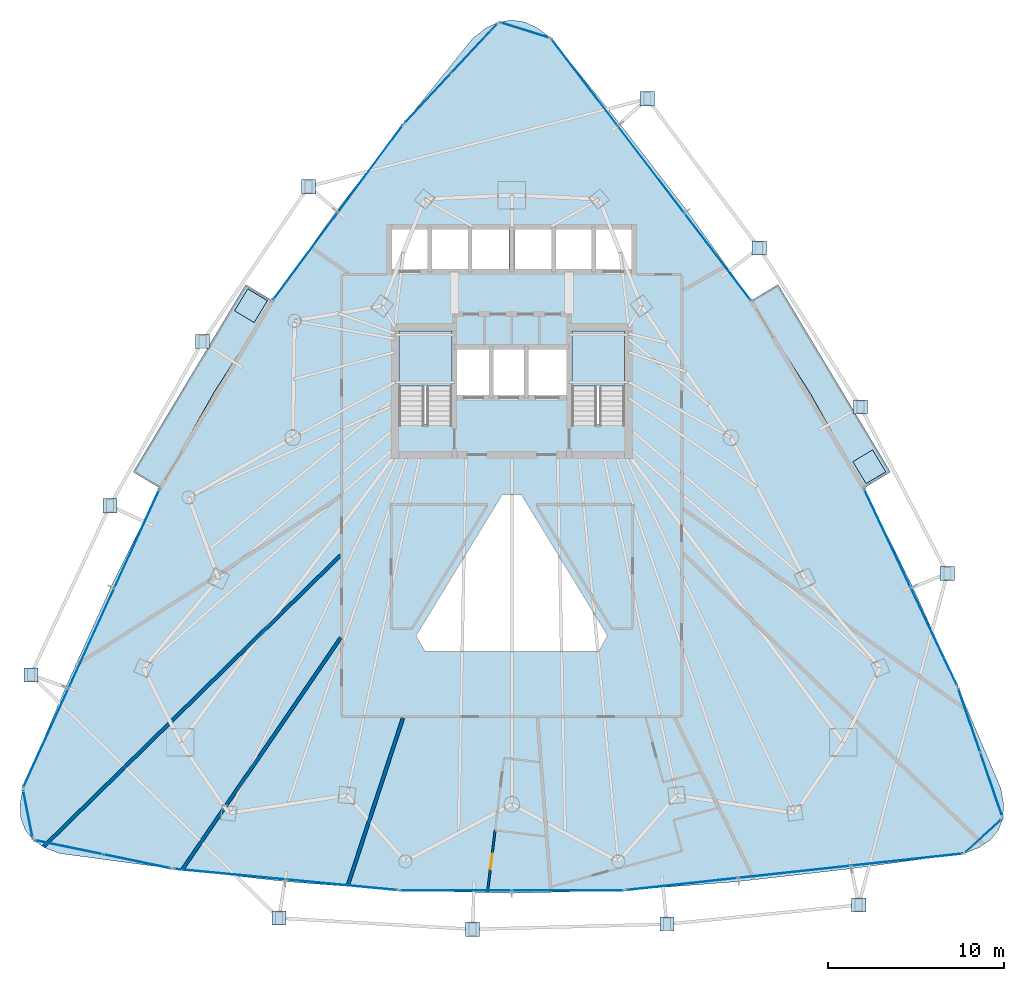
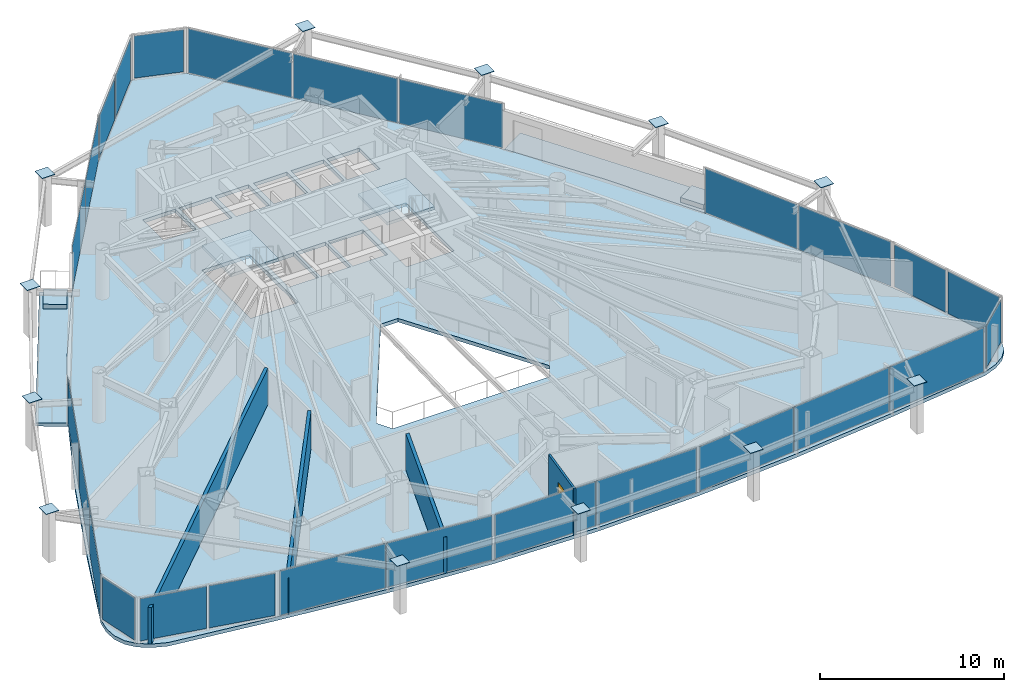
# One storey, part 27 of 33: 38 plates, 7 slabs, 4 walls, 1 door, 1 opening, 15 elements without a shape of their own.
"""IFC4 building model written with IfcOpenShell, lengths in metres."""

from ifc_helpers import new_model, si_unit, direction, frame, frame_2d, origin, origin_2d, place, context, subcontext, project, spatial, polyline, rectangle, outline, extrude, material, layer, layer_set, type_object, element, fill, aggregate, save


model = new_model("IFC4")

# Units and contexts
model_context = context("Model", 3, precision=1e-05, world=origin(), true_north=direction((0.0, 1.0)))
body_context = subcontext(model_context, "Body", "Model", "MODEL_VIEW")
ifc_project = project(units=[si_unit("LENGTHUNIT", "METRE"), si_unit("AREAUNIT", "SQUARE_METRE"), si_unit("VOLUMEUNIT", "CUBIC_METRE"), si_unit("PLANEANGLEUNIT", "RADIAN"), si_unit("MASSUNIT", "GRAM", prefix="KILO")], contexts=[model_context])

# Site, building, storey
site_placement = place(None, origin())
site = spatial("IfcSite", under=ifc_project, at=site_placement, CompositionType="ELEMENT")
building_placement = place(site_placement, origin())
building = spatial("IfcBuilding", under=site, at=building_placement, Name="Orvanel Arch Residences", CompositionType="ELEMENT")
storey_placement = place(building_placement, frame((0.0, 0.0, 70.85009765625)))
storey = spatial("IfcBuildingStorey", under=building, at=storey_placement, Name="L19", CompositionType="ELEMENT", Elevation=70.85009765625)

# Plates
ifc_material_1 = material(Name="Structural steel AS/NZS 3678 Grade 350", Category="steel")
ifc_layer_1 = layer(ifc_material_1, 0.031982421875)
ifc_layer_set_1 = layer_set([ifc_layer_1], Name="Structural steel AS/NZS 3678 Grade 350")
plate_type_1 = type_object("IfcPlateType", Name="PL-CAP-32", PredefinedType="SHEET", material=ifc_layer_set_1)
for number, where, z_axis, x_axis, name in (
    (1, (21.4580078125, 41.8798828125, 3.28369140625), (0.0, 0.0, 1.0), (1.0, 0.0, 0.0), "L19 hollow member end cap plate"),
    (2, (15.445068359375, 33.0869140625, 3.28369140625), (0.0, 0.0, 1.0), (1.0, 0.0, 0.0), "L19 hollow member end cap plate"),
    (3, (10.198974609375, 23.779052734375, 3.28369140625), (0.0, 0.0, 1.0), (1.0, 0.0, 0.0), "L19 hollow member end cap plate"),
    (4, (5.712890625, 14.18603515625, 3.28369140625), (0.0, 0.0, 1.0), (1.0, 0.0, 0.0), "L19 hollow member end cap plate"),
    (5, (19.7919921875, 0.385986328125, 3.28369140625), (0.0, 0.0, 1.0), (1.0, 0.0, 0.0), "L19 hollow member end cap plate"),
    (6, (30.77099609375, -0.2470703125, 3.28369140625), (0.0, 0.0, 1.0), (1.0, 0.0, 0.0), "L19 hollow member end cap plate"),
    (7, (41.794921875, 0.0419921875, 3.28369140625), (0.0, 0.0, 1.0), (1.0, 0.0, 0.0), "L19 hollow member end cap plate"),
    (8, (52.677978515625, 1.12890625, 3.28369140625), (0.0, 0.0, 1.0), (1.0, 0.0, 0.0), "L19 hollow member end cap plate"),
    (9, (57.702880859375, 19.93896484375, 3.28369140625), (0.0, 0.0, 1.0), (1.0, 0.0, 0.0), "L19 hollow member end cap plate"),
    (10, (52.77587890625, 29.384033203125, 3.28369140625), (0.0, 0.0, 1.0), (1.0, 0.0, 0.0), "L19 hollow member end cap plate"),
    (11, (47.033935546875, 38.39404296875, 3.28369140625), (0.0, 0.0, 1.0), (1.0, 0.0, 0.0), "L19 hollow member end cap plate"),
    (12, (40.68310546875, 46.867919921875, 3.28369140625), (0.0, 0.0, 1.0), (1.0, 0.0, 0.0), "L19 hollow member end cap plate"),
):
    element("IfcPlate", number, at=place(storey_placement, frame(where, z_axis=z_axis, x_axis=x_axis)), inside=storey, type_object=plate_type_1, Name=name, PredefinedType="SHEET", context=body_context, shape_type="SweptSolid", body=[
        extrude(rectangle(XDim=0.800048828125, YDim=0.800048828125, at=origin_2d()), origin(), (0.0, 0.0, 1.0), 0.031982421875),
    ])

# Curtain wall, plates
ifc_material_2 = material(Name="Bronze-anodised aluminium AA6063-T6", Category="aluminium")
ifc_layer_2 = layer(ifc_material_2, 0.179931640625)
ifc_layer_set_2 = layer_set([ifc_layer_2], Name="Bronze-anodised aluminium AA6063-T6")
curtain_wall_type_1 = type_object("IfcCurtainWallType", Name="CW2-LOW-SYS", PredefinedType="NOTDEFINED", material=ifc_layer_set_2)
curtain_wall_1_placement = place(storey_placement, origin())
curtain_wall_1 = element("IfcCurtainWall", 13, at=curtain_wall_1_placement, inside=storey, type_object=curtain_wall_type_1, Name="L19 CW2-LOW-SYS Unitised Curtain Wall", PredefinedType="NOTDEFINED")
ifc_material_3 = material(Name="Double-glazed solar-control low-E safety glass", Category="glass")
ifc_layer_3 = layer(ifc_material_3, 0.028076171875)
ifc_layer_set_3 = layer_set([ifc_layer_3], Name="Double-glazed solar-control low-E safety glass")
plate_type_2 = type_object("IfcPlateType", Name="PNL-GLZ-28", PredefinedType="CURTAIN_PANEL", material=ifc_layer_set_3)
plate_1_placement = place(storey_placement, frame((24.97900390625, 42.90234375, 0.059814453125), z_axis=(0.0, 0.0, 1.0), x_axis=(-0.596000950722, -0.802983727568, 0.0)))
plate_1 = element("IfcPlate", 14, at=plate_1_placement, type_object=plate_type_2, Name="CW-S2 panel 1.1", PredefinedType="CURTAIN_PANEL", context=body_context, shape_type="SweptSolid", body=[
    extrude(rectangle(XDim=6.108154296875, YDim=0.028076171875, at=origin_2d()), origin(), (0.0, 0.0, 1.0), 2.93994140625),
])
plate_2_placement = place(storey_placement, frame((21.296875, 37.941650390625, 0.059814453125), z_axis=(0.0, 0.0, 1.0), x_axis=(-0.596000950722, -0.802983727568, 0.0)))
plate_2 = element("IfcPlate", 15, at=plate_2_placement, type_object=plate_type_2, Name="CW-S2 panel 2.1", PredefinedType="CURTAIN_PANEL", context=body_context, shape_type="SweptSolid", body=[
    extrude(rectangle(XDim=6.108154296875, YDim=0.028076171875, at=origin_2d()), origin(), (0.0, 0.0, 1.0), 2.93994140625),
])
aggregate(curtain_wall_1, [plate_1, plate_2])

curtain_wall_2_placement = place(storey_placement, origin())
curtain_wall_2 = element("IfcCurtainWall", 16, at=curtain_wall_2_placement, inside=storey, type_object=curtain_wall_type_1, Name="L19 CW2-LOW-SYS Unitised Curtain Wall", PredefinedType="NOTDEFINED")
plate_3_placement = place(storey_placement, frame((11.73095703125, 21.910400390625, 0.059814453125), z_axis=(0.0, 0.0, 1.0), x_axis=(-0.415688938305, -0.909506848006, 0.0)))
plate_3 = element("IfcPlate", 17, at=plate_3_placement, type_object=plate_type_2, Name="CW-S2 panel 1.1", PredefinedType="CURTAIN_PANEL", context=body_context, shape_type="SweptSolid", body=[
    extrude(rectangle(XDim=6.1240234375, YDim=0.028076171875, at=origin_2d()), origin(), (0.0, 0.0, 1.0), 2.93994140625),
])
plate_4_placement = place(storey_placement, frame((9.14892578125, 16.260986328125, 0.059814453125), z_axis=(0.0, 0.0, 1.0), x_axis=(-0.415688938305, -0.909506848006, 0.0)))
plate_4 = element("IfcPlate", 18, at=plate_4_placement, type_object=plate_type_2, Name="CW-S2 panel 2.1", PredefinedType="CURTAIN_PANEL", context=body_context, shape_type="SweptSolid", body=[
    extrude(rectangle(XDim=6.158935546875, YDim=0.028076171875, at=origin_2d()), origin(), (0.0, 0.0, 1.0), 2.93994140625),
])
plate_5_placement = place(storey_placement, frame((6.56689453125, 10.611572265625, 0.059814453125), z_axis=(0.0, 0.0, 1.0), x_axis=(-0.415688938305, -0.909506848006, 0.0)))
plate_5 = element("IfcPlate", 19, at=plate_5_placement, type_object=plate_type_2, Name="CW-S2 panel 3.1", PredefinedType="CURTAIN_PANEL", context=body_context, shape_type="SweptSolid", body=[
    extrude(rectangle(XDim=6.1240234375, YDim=0.028076171875, at=origin_2d()), origin(), (0.0, 0.0, 1.0), 2.93994140625),
])
aggregate(curtain_wall_2, [plate_3, plate_4, plate_5])

curtain_wall_3_placement = place(storey_placement, origin())
curtain_wall_3 = element("IfcCurtainWall", 20, at=curtain_wall_3_placement, inside=storey, type_object=curtain_wall_type_1, Name="L19 CW2-LOW-SYS Unitised Curtain Wall", PredefinedType="NOTDEFINED")
plate_6_placement = place(storey_placement, frame((16.994873046875, 2.8798828125, 0.059814453125), z_axis=(0.0, 0.0, 1.0), x_axis=(0.995493372806, -0.094831137816, 0.0)))
plate_6 = element("IfcPlate", 21, at=plate_6_placement, type_object=plate_type_2, Name="CW-S2 panel 1.1", PredefinedType="CURTAIN_PANEL", context=body_context, shape_type="SweptSolid", body=[
    extrude(rectangle(XDim=6.31689453125, YDim=0.028076171875, at=origin_2d()), origin(), (0.0, 0.0, 1.0), 2.93994140625),
])
plate_7_placement = place(storey_placement, frame((23.35302734375, 2.274169921875, 0.059814453125), z_axis=(0.0, 0.0, 1.0), x_axis=(0.995493372806, -0.094831137816, 0.0)))
plate_7 = element("IfcPlate", 22, at=plate_7_placement, type_object=plate_type_2, Name="CW-S2 panel 2.1", PredefinedType="CURTAIN_PANEL", context=body_context, shape_type="SweptSolid", body=[
    extrude(rectangle(XDim=6.31689453125, YDim=0.028076171875, at=origin_2d()), origin(), (0.0, 0.0, 1.0), 2.93994140625),
])
aggregate(curtain_wall_3, [plate_6, plate_7])

curtain_wall_4_placement = place(storey_placement, origin())
curtain_wall_4 = element("IfcCurtainWall", 23, at=curtain_wall_4_placement, inside=storey, type_object=curtain_wall_type_1, Name="L19 CW2-LOW-SYS Unitised Curtain Wall", PredefinedType="NOTDEFINED")
plate_8_placement = place(storey_placement, frame((29.821044921875, 1.966064453125, 0.059814453125), z_axis=(0.0, 0.0, 1.0), x_axis=(1.0, 0.0, 0.0)))
plate_8 = element("IfcPlate", 24, at=plate_8_placement, type_object=plate_type_2, Name="CW-S2 panel 1.1", PredefinedType="CURTAIN_PANEL", context=body_context, shape_type="SweptSolid", body=[
    extrude(rectangle(XDim=6.2880859375, YDim=0.028076171875, at=origin_2d()), origin(), (0.0, 0.0, 1.0), 2.93994140625),
])
plate_9_placement = place(storey_placement, frame((36.178955078125, 1.966064453125, 0.059814453125), z_axis=(0.0, 0.0, 1.0), x_axis=(1.0, 0.0, 0.0)))
plate_9 = element("IfcPlate", 25, at=plate_9_placement, type_object=plate_type_2, Name="CW-S2 panel 2.1", PredefinedType="CURTAIN_PANEL", context=body_context, shape_type="SweptSolid", body=[
    extrude(rectangle(XDim=6.2880859375, YDim=0.028076171875, at=origin_2d()), origin(), (0.0, 0.0, 1.0), 2.93994140625),
])
aggregate(curtain_wall_4, [plate_8, plate_9])

curtain_wall_5_placement = place(storey_placement, origin())
curtain_wall_5 = element("IfcCurtainWall", 26, at=curtain_wall_5_placement, inside=storey, type_object=curtain_wall_type_1, Name="L19 CW2-LOW-SYS Unitised Curtain Wall", PredefinedType="NOTDEFINED")
plate_10_placement = place(storey_placement, frame((42.650146484375, 2.31689453125, 0.059814453125), z_axis=(0.0, 0.0, 1.0), x_axis=(0.994171399622, 0.107811076303, 0.0)))
plate_10 = element("IfcPlate", 27, at=plate_10_placement, type_object=plate_type_2, Name="CW-S2 panel 1.1", PredefinedType="CURTAIN_PANEL", context=body_context, shape_type="SweptSolid", body=[
    extrude(rectangle(XDim=6.332275390625, YDim=0.028076171875, at=origin_2d()), origin(), (0.0, 0.0, 1.0), 2.93994140625),
])
plate_11_placement = place(storey_placement, frame((49.032470703125, 3.009033203125, 0.059814453125), z_axis=(0.0, 0.0, 1.0), x_axis=(0.994171399622, 0.107811076303, 0.0)))
plate_11 = element("IfcPlate", 28, at=plate_11_placement, type_object=plate_type_2, Name="CW-S2 panel 2.1", PredefinedType="CURTAIN_PANEL", context=body_context, shape_type="SweptSolid", body=[
    extrude(rectangle(XDim=6.3671875, YDim=0.028076171875, at=origin_2d()), origin(), (0.0, 0.0, 1.0), 2.93994140625),
])
plate_12_placement = place(storey_placement, frame((55.414794921875, 3.701171875, 0.059814453125), z_axis=(0.0, 0.0, 1.0), x_axis=(0.994171399622, 0.107811076303, 0.0)))
plate_12 = element("IfcPlate", 29, at=plate_12_placement, type_object=plate_type_2, Name="CW-S2 panel 3.1", PredefinedType="CURTAIN_PANEL", context=body_context, shape_type="SweptSolid", body=[
    extrude(rectangle(XDim=6.332275390625, YDim=0.028076171875, at=origin_2d()), origin(), (0.0, 0.0, 1.0), 2.93994140625),
])
aggregate(curtain_wall_5, [plate_10, plate_11, plate_12])

curtain_wall_6_placement = place(storey_placement, origin())
curtain_wall_6 = element("IfcCurtainWall", 30, at=curtain_wall_6_placement, inside=storey, type_object=curtain_wall_type_1, Name="L19 CW2-LOW-SYS Unitised Curtain Wall", PredefinedType="NOTDEFINED")
plate_13_placement = place(storey_placement, frame((56.947509765625, 16.350830078125, 0.059814453125), z_axis=(0.0, 0.0, 1.0), x_axis=(-0.427795745036, 0.903875434189, 0.0)))
plate_13 = element("IfcPlate", 31, at=plate_13_placement, type_object=plate_type_2, Name="CW-S2 panel 1.1", PredefinedType="CURTAIN_PANEL", context=body_context, shape_type="SweptSolid", body=[
    extrude(rectangle(XDim=6.108154296875, YDim=0.028076171875, at=origin_2d()), origin(), (0.0, 0.0, 1.0), 2.93994140625),
])
plate_14_placement = place(storey_placement, frame((54.304443359375, 21.935302734375, 0.059814453125), z_axis=(0.0, 0.0, 1.0), x_axis=(-0.427795745036, 0.903875434189, 0.0)))
plate_14 = element("IfcPlate", 32, at=plate_14_placement, type_object=plate_type_2, Name="CW-S2 panel 2.1", PredefinedType="CURTAIN_PANEL", context=body_context, shape_type="SweptSolid", body=[
    extrude(rectangle(XDim=6.108154296875, YDim=0.028076171875, at=origin_2d()), origin(), (0.0, 0.0, 1.0), 2.93994140625),
])
aggregate(curtain_wall_6, [plate_13, plate_14])

curtain_wall_7_placement = place(storey_placement, origin())
curtain_wall_7 = element("IfcCurtainWall", 33, at=curtain_wall_7_placement, inside=storey, type_object=curtain_wall_type_1, Name="L19 CW2-LOW-SYS Unitised Curtain Wall", PredefinedType="NOTDEFINED")
plate_15_placement = place(storey_placement, frame((44.664794921875, 37.922607421875, 0.059814453125), z_axis=(0.0, 0.0, 1.0), x_axis=(-0.606742733122, 0.794898267581, 0.0)))
plate_15 = element("IfcPlate", 34, at=plate_15_placement, type_object=plate_type_2, Name="CW-S2 panel 1.1", PredefinedType="CURTAIN_PANEL", context=body_context, shape_type="SweptSolid", body=[
    extrude(rectangle(XDim=6.123779296875, YDim=0.028076171875, at=origin_2d()), origin(), (0.0, 0.0, 1.0), 2.93994140625),
])
plate_16_placement = place(storey_placement, frame((40.89599609375, 42.860107421875, 0.059814453125), z_axis=(0.0, 0.0, 1.0), x_axis=(-0.606742733122, 0.794898267581, 0.0)))
plate_16 = element("IfcPlate", 35, at=plate_16_placement, type_object=plate_type_2, Name="CW-S2 panel 2.1", PredefinedType="CURTAIN_PANEL", context=body_context, shape_type="SweptSolid", body=[
    extrude(rectangle(XDim=6.158935546875, YDim=0.028076171875, at=origin_2d()), origin(), (0.0, 0.0, 1.0), 2.93994140625),
])
plate_17_placement = place(storey_placement, frame((37.127197265625, 47.79736328125, 0.059814453125), z_axis=(0.0, 0.0, 1.0), x_axis=(-0.606742733122, 0.794898267581, 0.0)))
plate_17 = element("IfcPlate", 36, at=plate_17_placement, type_object=plate_type_2, Name="CW-S2 panel 3.1", PredefinedType="CURTAIN_PANEL", context=body_context, shape_type="SweptSolid", body=[
    extrude(rectangle(XDim=6.123779296875, YDim=0.028076171875, at=origin_2d()), origin(), (0.0, 0.0, 1.0), 2.93994140625),
])
aggregate(curtain_wall_7, [plate_15, plate_16, plate_17])

# Curtain wall, plate
ifc_layer_4 = layer(ifc_material_2, 0.18994140625)
ifc_layer_set_4 = layer_set([ifc_layer_4], Name="Bronze-anodised aluminium AA6063-T6")
curtain_wall_type_2 = type_object("IfcCurtainWallType", Name="CW5-CRN-SYS", PredefinedType="NOTDEFINED", material=ifc_layer_set_4)
curtain_wall_8_placement = place(storey_placement, origin())
curtain_wall_8 = element("IfcCurtainWall", 37, at=curtain_wall_8_placement, inside=storey, type_object=curtain_wall_type_2, Name="L19 CW5-CRN-SYS Unitised Curtain Wall", PredefinedType="NOTDEFINED")
ifc_layer_5 = layer(ifc_material_3, 0.031982421875)
ifc_layer_set_5 = layer_set([ifc_layer_5], Name="Double-glazed solar-control low-E safety glass")
plate_type_3 = type_object("IfcPlateType", Name="PNL-GLZ-32", PredefinedType="CURTAIN_PANEL", material=ifc_layer_set_5)
plate_18_placement = place(storey_placement, frame((33.738525390625, 50.762451171875, 0.1298828125), z_axis=(0.0, 0.0, 1.0), x_axis=(-0.954846451837, 0.297099736477, 0.0)))
plate_18 = element("IfcPlate", 38, at=plate_18_placement, type_object=plate_type_3, Name="CW-S5 panel 1.1", PredefinedType="CURTAIN_PANEL", context=body_context, shape_type="SweptSolid", body=[
    extrude(rectangle(XDim=2.7529296875, YDim=0.031982421875, at=origin_2d()), origin(), (0.0, 0.0, 1.0), 2.800048828125),
])
aggregate(curtain_wall_8, [plate_18])

# Curtain wall, plates
curtain_wall_9_placement = place(storey_placement, origin())
curtain_wall_9 = element("IfcCurtainWall", 39, at=curtain_wall_9_placement, inside=storey, type_object=curtain_wall_type_2, Name="L19 CW5-CRN-SYS Unitised Curtain Wall", PredefinedType="NOTDEFINED")
plate_19_placement = place(storey_placement, frame((30.877197265625, 49.73828125, 0.1298828125), z_axis=(0.0, 0.0, 1.0), x_axis=(-0.682340840105, -0.731034183828, 0.0)))
plate_19 = element("IfcPlate", 40, at=plate_19_placement, type_object=plate_type_3, Name="CW-S5 panel 1.1", PredefinedType="CURTAIN_PANEL", context=body_context, shape_type="SweptSolid", body=[
    extrude(rectangle(XDim=3.718017578125, YDim=0.031982421875, at=origin_2d()), origin(), (0.0, 0.0, 1.0), 2.800048828125),
])
plate_20_placement = place(storey_placement, frame((28.23779296875, 46.91064453125, 0.1298828125), z_axis=(0.0, 0.0, 1.0), x_axis=(-0.682340840105, -0.731034183828, 0.0)))
plate_20 = element("IfcPlate", 41, at=plate_20_placement, type_object=plate_type_3, Name="CW-S5 panel 2.1", PredefinedType="CURTAIN_PANEL", context=body_context, shape_type="SweptSolid", body=[
    extrude(rectangle(XDim=3.718017578125, YDim=0.031982421875, at=origin_2d()), origin(), (0.0, 0.0, 1.0), 2.800048828125),
])
aggregate(curtain_wall_9, [plate_19, plate_20])

# Curtain wall, plate
curtain_wall_10_placement = place(storey_placement, origin())
curtain_wall_10 = element("IfcCurtainWall", 42, at=curtain_wall_10_placement, inside=storey, type_object=curtain_wall_type_2, Name="L19 CW5-CRN-SYS Unitised Curtain Wall", PredefinedType="NOTDEFINED")
plate_21_placement = place(storey_placement, frame((5.548583984375, 6.284423828125, 0.1298828125), z_axis=(0.0, 0.0, 1.0), x_axis=(0.195723363495, -0.980659148217, 0.0)))
plate_21 = element("IfcPlate", 43, at=plate_21_placement, type_object=plate_type_3, Name="CW-S5 panel 1.1", PredefinedType="CURTAIN_PANEL", context=body_context, shape_type="SweptSolid", body=[
    extrude(rectangle(XDim=2.637939453125, YDim=0.031982421875, at=origin_2d()), origin(), (0.0, 0.0, 1.0), 2.800048828125),
])
aggregate(curtain_wall_10, [plate_21])

# Curtain wall, plates
curtain_wall_11_placement = place(storey_placement, origin())
curtain_wall_11 = element("IfcCurtainWall", 44, at=curtain_wall_11_placement, inside=storey, type_object=curtain_wall_type_2, Name="L19 CW5-CRN-SYS Unitised Curtain Wall", PredefinedType="NOTDEFINED")
plate_22_placement = place(storey_placement, frame((7.866943359375, 4.405517578125, 0.1298828125), z_axis=(0.0, 0.0, 1.0), x_axis=(0.979323283522, -0.202301523353, 0.0)))
plate_22 = element("IfcPlate", 45, at=plate_22_placement, type_object=plate_type_3, Name="CW-S5 panel 1.1", PredefinedType="CURTAIN_PANEL", context=body_context, shape_type="SweptSolid", body=[
    extrude(rectangle(XDim=3.798583984375, YDim=0.031982421875, at=origin_2d()), origin(), (0.0, 0.0, 1.0), 2.800048828125),
])
plate_23_placement = place(storey_placement, frame((11.734130859375, 3.606689453125, 0.1298828125), z_axis=(0.0, 0.0, 1.0), x_axis=(0.979323283522, -0.202301523353, 0.0)))
plate_23 = element("IfcPlate", 46, at=plate_23_placement, type_object=plate_type_3, Name="CW-S5 panel 2.1", PredefinedType="CURTAIN_PANEL", context=body_context, shape_type="SweptSolid", body=[
    extrude(rectangle(XDim=3.798583984375, YDim=0.031982421875, at=origin_2d()), origin(), (0.0, 0.0, 1.0), 2.800048828125),
])
aggregate(curtain_wall_11, [plate_22, plate_23])

# Curtain wall, plate
curtain_wall_12_placement = place(storey_placement, origin())
curtain_wall_12 = element("IfcCurtainWall", 47, at=curtain_wall_12_placement, inside=storey, type_object=curtain_wall_type_2, Name="L19 CW5-CRN-SYS Unitised Curtain Wall", PredefinedType="NOTDEFINED")
plate_24_placement = place(storey_placement, frame((59.75439453125, 5.053466796875, 0.1298828125), z_axis=(0.0, 0.0, 1.0), x_axis=(0.73998625585, 0.672621989793, 0.0)))
plate_24 = element("IfcPlate", 48, at=plate_24_placement, type_object=plate_type_3, Name="CW-S5 panel 1.1", PredefinedType="CURTAIN_PANEL", context=body_context, shape_type="SweptSolid", body=[
    extrude(rectangle(XDim=2.63916015625, YDim=0.031982421875, at=origin_2d()), origin(), (0.0, 0.0, 1.0), 2.800048828125),
])
aggregate(curtain_wall_12, [plate_24])

# Curtain wall, plates
curtain_wall_13_placement = place(storey_placement, origin())
curtain_wall_13 = element("IfcCurtainWall", 49, at=curtain_wall_13_placement, inside=storey, type_object=curtain_wall_type_2, Name="L19 CW5-CRN-SYS Unitised Curtain Wall", PredefinedType="NOTDEFINED")
plate_25_placement = place(storey_placement, frame((60.2001953125, 7.96337890625, 0.1298828125), z_axis=(0.0, 0.0, 1.0), x_axis=(-0.325165297425, 0.945657194416, 0.0)))
plate_25 = element("IfcPlate", 50, at=plate_25_placement, type_object=plate_type_3, Name="CW-S5 panel 1.1", PredefinedType="CURTAIN_PANEL", context=body_context, shape_type="SweptSolid", body=[
    extrude(rectangle(XDim=3.696044921875, YDim=0.031982421875, at=origin_2d()), origin(), (0.0, 0.0, 1.0), 2.800048828125),
])
plate_26_placement = place(storey_placement, frame((58.94970703125, 11.6005859375, 0.1298828125), z_axis=(0.0, 0.0, 1.0), x_axis=(-0.325165297425, 0.945657194416, 0.0)))
plate_26 = element("IfcPlate", 51, at=plate_26_placement, type_object=plate_type_3, Name="CW-S5 panel 2.1", PredefinedType="CURTAIN_PANEL", context=body_context, shape_type="SweptSolid", body=[
    extrude(rectangle(XDim=3.696044921875, YDim=0.031982421875, at=origin_2d()), origin(), (0.0, 0.0, 1.0), 2.800048828125),
])
aggregate(curtain_wall_13, [plate_25, plate_26])

# Slabs
ifc_material_4 = material(Name="Concrete N40 (40 MPa)", Category="concrete")
ifc_layer_6 = layer(ifc_material_4, 0.215087890625)
ifc_layer_set_6 = layer_set([ifc_layer_6], Name="Concrete N40 (40 MPa)")
slab_type_1 = type_object("IfcSlabType", Name="SLB-BAL-215", PredefinedType="FLOOR", material=ifc_layer_set_6)
slab_1_placement = place(storey_placement, frame((0.0, 0.0, -0.215087890625)))
element("IfcSlab", 52, at=slab_1_placement, inside=storey, type_object=slab_type_1, Name="L19 Cantilevered Balcony Slab Face 3", PredefinedType="FLOOR", context=body_context, shape_type="SweptSolid", body=[
    extrude(outline(polyline([(54.485107421875, 25.693115234375), (48.10302734375, 36.33203125), (46.576904296875, 35.4169921875), (49.9150390625, 30.18505859375), (52.958984375, 24.777099609375), (54.485107421875, 25.693115234375)])), origin(), (0.0, 0.0, 1.0), 0.215087890625),
])
slab_2_placement = place(storey_placement, frame((0.0, 0.0, -0.215087890625)))
element("IfcSlab", 53, at=slab_2_placement, inside=storey, type_object=slab_type_1, Name="L19 Cantilevered Balcony Slab Face 1", PredefinedType="FLOOR", context=body_context, shape_type="SweptSolid", body=[
    extrude(outline(polyline([(17.89697265625, 36.33203125), (11.514892578125, 25.693115234375), (13.041015625, 24.777099609375), (16.0849609375, 30.18505859375), (19.423095703125, 35.4169921875), (17.89697265625, 36.33203125)])), origin(), (0.0, 0.0, 1.0), 0.215087890625),
])

# Stair, slab
ifc_material_5 = material(Name="Precast concrete N50 (50 MPa)", Category="concrete")
stair_type = type_object("IfcStairType", Name="STR-DOG-184", PredefinedType="USERDEFINED", material=ifc_material_5)
stair_1_placement = place(storey_placement, origin())
stair_1 = element("IfcStair", 54, at=stair_1_placement, inside=storey, type_object=stair_type, Name="L19 Fire-Isolated Core Exit Stair 1", ObjectType="TWO_RETURN_STAIR", PredefinedType="USERDEFINED")
ifc_layer_7 = layer(ifc_material_4, 0.199951171875)
ifc_layer_set_7 = layer_set([ifc_layer_7], Name="Concrete N40 (40 MPa)")
slab_type_2 = type_object("IfcSlabType", Name="SLB-LND-200", PredefinedType="LANDING", material=ifc_layer_set_7)
slab_3_placement = place(storey_placement, frame((0.0, 0.0, 1.449951171875)))
slab_3 = element("IfcSlab", 55, at=slab_3_placement, type_object=slab_type_2, Name="ST-1 landing 1", PredefinedType="LANDING", context=body_context, shape_type="SweptSolid", body=[
    extrude(outline(polyline([(29.60009765625, 30.56005859375), (29.60009765625, 33.699951171875), (26.60009765625, 33.699951171875), (26.60009765625, 30.56005859375), (29.60009765625, 30.56005859375)])), origin(), (0.0, 0.0, 1.0), 0.199951171875),
])
aggregate(stair_1, [slab_3])

stair_2_placement = place(storey_placement, origin())
stair_2 = element("IfcStair", 56, at=stair_2_placement, inside=storey, type_object=stair_type, Name="L19 Fire-Isolated Core Exit Stair 2", ObjectType="TWO_RETURN_STAIR", PredefinedType="USERDEFINED")
slab_4_placement = place(storey_placement, frame((0.0, 0.0, 1.449951171875)))
slab_4 = element("IfcSlab", 57, at=slab_4_placement, type_object=slab_type_2, Name="ST-2 landing 1", PredefinedType="LANDING", context=body_context, shape_type="SweptSolid", body=[
    extrude(outline(polyline([(39.39990234375, 30.56005859375), (39.39990234375, 33.699951171875), (36.39990234375, 33.699951171875), (36.39990234375, 30.56005859375), (39.39990234375, 30.56005859375)])), origin(), (0.0, 0.0, 1.0), 0.199951171875),
])
aggregate(stair_2, [slab_4])

# Slabs
ifc_material_6 = material(Name="Structural architectural precast concrete N40 (40 MPa) planter", Category="concrete")
ifc_layer_8 = layer(ifc_material_6, 0.320068359375)
ifc_layer_set_8 = layer_set([ifc_layer_8], Name="Structural architectural precast concrete N40 (40 MPa) planter")
slab_type_3 = type_object("IfcSlabType", Name="SLB-PLN-320", PredefinedType="USERDEFINED", material=ifc_layer_set_8)
slab_5_placement = place(storey_placement, origin())
element("IfcSlab", 58, at=slab_5_placement, inside=storey, type_object=slab_type_3, Name="L19 Balcony TREE PLANTER Face 3", ObjectType="PLANTER", PredefinedType="USERDEFINED", context=body_context, shape_type="SweptSolid", body=[
    extrude(outline(polyline([(54.2109375, 25.702880859375), (53.465087890625, 26.947021484375), (52.35009765625, 26.278076171875), (53.095947265625, 25.033935546875), (54.2109375, 25.702880859375)])), origin(), (0.0, 0.0, 1.0), 0.31982421875),
])
slab_6_placement = place(storey_placement, origin())
element("IfcSlab", 59, at=slab_6_placement, inside=storey, type_object=slab_type_3, Name="L19 Balcony TREE PLANTER Face 1", ObjectType="PLANTER", PredefinedType="USERDEFINED", context=body_context, shape_type="SweptSolid", body=[
    extrude(outline(polyline([(18.01708984375, 36.0849609375), (17.27099609375, 34.842041015625), (18.385986328125, 34.173095703125), (19.131103515625, 35.4169921875), (18.01708984375, 36.0849609375)])), origin(), (0.0, 0.0, 1.0), 0.31982421875),
])
ifc_layer_9 = layer(ifc_material_4, 0.239990234375)
ifc_layer_set_9 = layer_set([ifc_layer_9], Name="Concrete N40 (40 MPa)")
slab_type_4 = type_object("IfcSlabType", Name="SLB-TYP-240", PredefinedType="FLOOR", material=ifc_layer_set_9)
slab_7_placement = place(storey_placement, frame((0.0, 0.0, -0.239990234375)))
element("IfcSlab", 60, at=slab_7_placement, inside=storey, type_object=slab_type_4, Name="L19 Tower Floor Slab", PredefinedType="FLOOR", context=body_context, shape_type="SweptSolid", body=[
    extrude(outline(polyline([(35.215087890625, 50.302978515625), (34.47705078125, 50.876953125), (33.738037109375, 51.221923828125), (33.0, 51.3369140625), (32.261962890625, 51.221923828125), (31.52294921875, 50.876953125), (30.784912109375, 50.302978515625), (26.85302734375, 45.427001953125), (23.033935546875, 40.48388671875), (19.423095703125, 35.4169921875), (16.0849609375, 30.18505859375), (13.041015625, 24.777099609375), (10.27001953125, 19.2060546875), (7.70703125, 13.509033203125), (5.257080078125, 7.7451171875), (5.097900390625, 6.842041015625), (5.14306640625, 6.054931640625), (5.389892578125, 5.382080078125), (5.840087890625, 4.823974609375), (6.491943359375, 4.381103515625), (7.347900390625, 4.052001953125), (13.760986328125, 3.18798828125), (20.174072265625, 2.4560546875), (26.5869140625, 1.966064453125), (33.0, 1.7939453125), (39.4130859375, 1.966064453125), (45.825927734375, 2.4560546875), (52.239013671875, 3.18798828125), (58.652099609375, 4.052001953125), (59.508056640625, 4.381103515625), (60.159912109375, 4.823974609375), (60.610107421875, 5.382080078125), (60.85693359375, 6.054931640625), (60.902099609375, 6.842041015625), (60.742919921875, 7.7451171875), (58.29296875, 13.509033203125), (55.72998046875, 19.2060546875), (52.958984375, 24.777099609375), (49.9150390625, 30.18505859375), (46.576904296875, 35.4169921875), (42.966064453125, 40.48388671875), (39.14697265625, 45.427001953125), (35.215087890625, 50.302978515625)]), holes=[polyline([(26.60009765625, 28.429931640625), (26.60009765625, 33.699951171875), (29.60009765625, 33.699951171875), (29.60009765625, 28.429931640625), (26.60009765625, 28.429931640625)]), polyline([(36.39990234375, 28.429931640625), (36.39990234375, 33.699951171875), (39.39990234375, 33.699951171875), (39.39990234375, 28.429931640625), (36.39990234375, 28.429931640625)]), polyline([(29.89990234375, 32.64990234375), (31.75, 32.64990234375), (31.75, 29.949951171875), (29.89990234375, 29.949951171875), (29.89990234375, 32.64990234375)]), polyline([(31.89990234375, 32.64990234375), (33.75, 32.64990234375), (33.75, 29.949951171875), (31.89990234375, 29.949951171875), (31.89990234375, 32.64990234375)]), polyline([(33.89990234375, 32.64990234375), (36.10009765625, 32.64990234375), (36.10009765625, 29.949951171875), (33.89990234375, 29.949951171875), (33.89990234375, 32.64990234375)]), polyline([(26.199951171875, 39.449951171875), (28.25, 39.449951171875), (28.25, 37.199951171875), (26.199951171875, 37.199951171875), (26.199951171875, 39.449951171875)]), polyline([(37.75, 39.449951171875), (39.800048828125, 39.449951171875), (39.800048828125, 37.199951171875), (37.75, 37.199951171875), (37.75, 39.449951171875)]), polyline([(28.449951171875, 39.449951171875), (30.5, 39.449951171875), (30.5, 37.199951171875), (28.449951171875, 37.199951171875), (28.449951171875, 39.449951171875)]), polyline([(35.5, 39.449951171875), (37.550048828125, 39.449951171875), (37.550048828125, 37.199951171875), (35.5, 37.199951171875), (35.5, 39.449951171875)]), polyline([(30.75, 39.449951171875), (32.85009765625, 39.449951171875), (32.85009765625, 37.199951171875), (30.75, 37.199951171875), (30.75, 39.449951171875)]), polyline([(33.14990234375, 39.449951171875), (35.25, 39.449951171875), (35.25, 37.199951171875), (33.14990234375, 37.199951171875), (33.14990234375, 39.449951171875)]), polyline([(38.43994140625, 16.4130859375), (37.93505859375, 15.510986328125), (28.06494140625, 15.510986328125), (27.56005859375, 16.4130859375), (32.448974609375, 24.409912109375), (33.551025390625, 24.409912109375), (38.43994140625, 16.4130859375)])]), origin(), (0.0, 0.0, 1.0), 0.239990234375),
])

# Walls
ifc_material_7 = material(Name="Fire-rated plasterboard lined steel stud partition", Category="steel")
ifc_layer_10 = layer(ifc_material_7, 0.199951171875)
ifc_layer_set_10 = layer_set([ifc_layer_10], Name="Fire-rated plasterboard lined steel stud partition")
wall_type_1 = type_object("IfcWallType", Name="W-DEM-200", PredefinedType="PARTITIONING", material=ifc_layer_set_10)
wall_1_placement = place(storey_placement, frame((23.2900390625, 20.972900390625, 0.0), z_axis=(0.0, 0.0, 1.0), x_axis=(-0.713831483248, -0.70031750908, 0.0)))
element("IfcWall", 61, at=wall_1_placement, inside=storey, type_object=wall_type_1, Name="L19 Inter-Tenancy Acoustic Demising Wall", PredefinedType="PARTITIONING", context=body_context, shape_type="SweptSolid", body=[
    extrude(rectangle(XDim=23.612060546875, YDim=0.199951171875, at=frame_2d((11.80615234375, 0.0))), origin(), (0.0, 0.0, 1.0), 2.412841796875),
])
wall_2_placement = place(storey_placement, frame((23.2900390625, 16.291015625, 0.0), z_axis=(0.0, 0.0, 1.0), x_axis=(-0.564210182678, -0.825631194761, 0.0)))
element("IfcWall", 62, at=wall_2_placement, inside=storey, type_object=wall_type_1, Name="L19 Inter-Tenancy Acoustic Demising Wall", PredefinedType="PARTITIONING", context=body_context, shape_type="SweptSolid", body=[
    extrude(rectangle(XDim=15.928466796875, YDim=0.199951171875, at=frame_2d((7.96435546875, 0.0))), origin(), (0.0, 0.0, 1.0), 2.412841796875),
])
wall_3_placement = place(storey_placement, frame((23.68408203125, 2.201904296875, 0.0), z_axis=(0.0, 0.0, 1.0), x_axis=(0.31268804242, 0.949855877556, 0.0)))
element("IfcWall", 63, at=wall_3_placement, inside=storey, type_object=wall_type_1, Name="L19 Inter-Tenancy Acoustic Demising Wall", PredefinedType="PARTITIONING", context=body_context, shape_type="SweptSolid", body=[
    extrude(rectangle(XDim=10.04150390625, YDim=0.199951171875, at=frame_2d((5.020751953125, 0.0))), origin(), (0.0, 0.0, 1.0), 2.412841796875),
])

# Wall, opening, door
ifc_material_8 = material(Name="Acoustic plasterboard lined twin-stud partition", Category="gypsum")
ifc_layer_11 = layer(ifc_material_8, 0.1201171875)
ifc_layer_set_11 = layer_set([ifc_layer_11], Name="Acoustic plasterboard lined twin-stud partition")
wall_type_2 = type_object("IfcWallType", Name="W-WET-120", PredefinedType="PARTITIONING", material=ifc_layer_set_11)
wall_4_placement = place(storey_placement, frame((32.051025390625, 5.368896484375, 0.0), z_axis=(0.0, 0.0, 1.0), x_axis=(-0.122290707402, -0.992494323854, 0.0)))
wall_4 = element("IfcWall", 64, at=wall_4_placement, inside=storey, type_object=wall_type_2, Name="L19 Studio G Internal Partition", PredefinedType="PARTITIONING", context=body_context, shape_type="SweptSolid", body=[
    extrude(rectangle(XDim=3.549560546875, YDim=0.1201171875, at=frame_2d((1.77490234375, 0.0))), origin(), (0.0, 0.0, 1.0), 3.059814453125),
])
opening_placement = place(wall_4_placement, frame((1.3349609375, 0.0, 0.0)))
opening = element("IfcOpeningElement", 65, at=opening_placement, cuts=wall_4, Name="Opening DI-088", PredefinedType="OPENING", context=body_context, shape_type="SweptSolid", body=[
    extrude(rectangle(XDim=0.8798828125, YDim=2.10009765625, at=frame_2d((0.43994140625, 1.050048828125))), frame((0.0, 0.070068359375, 0.0), z_axis=(0.0, -1.0, 0.0), x_axis=(1.0, 0.0, 0.0)), (0.0, 0.0, 1.0), 0.14013671875),
])
ifc_material_9 = material(Name="Solid-core European oak veneer fire door leaf", Category="wood")
door_type = type_object("IfcDoorType", Name="DR-INT-880", OperationType="NOTDEFINED", PredefinedType="DOOR", material=ifc_material_9)
door_placement = place(opening_placement, origin())
door = element("IfcDoor", 66, at=door_placement, inside=storey, type_object=door_type, Name="DR-L19-G-KIT L19 Studio G Kitchenette Door", OperationType="SINGLE_SWING_LEFT", OverallHeight=2.10009765625, OverallWidth=0.8798828125, PredefinedType="DOOR", context=body_context, shape_type="SweptSolid", body=[
    extrude(rectangle(XDim=0.8798828125, YDim=2.10009765625, at=frame_2d((0.43994140625, 1.050048828125))), frame((0.0, 0.02490234375, 0.0), z_axis=(0.0, -1.0, 0.0), x_axis=(1.0, 0.0, 0.0)), (0.0, 0.0, 1.0), 0.050048828125),
])
fill(opening, door)

save(model, "model.ifc")
